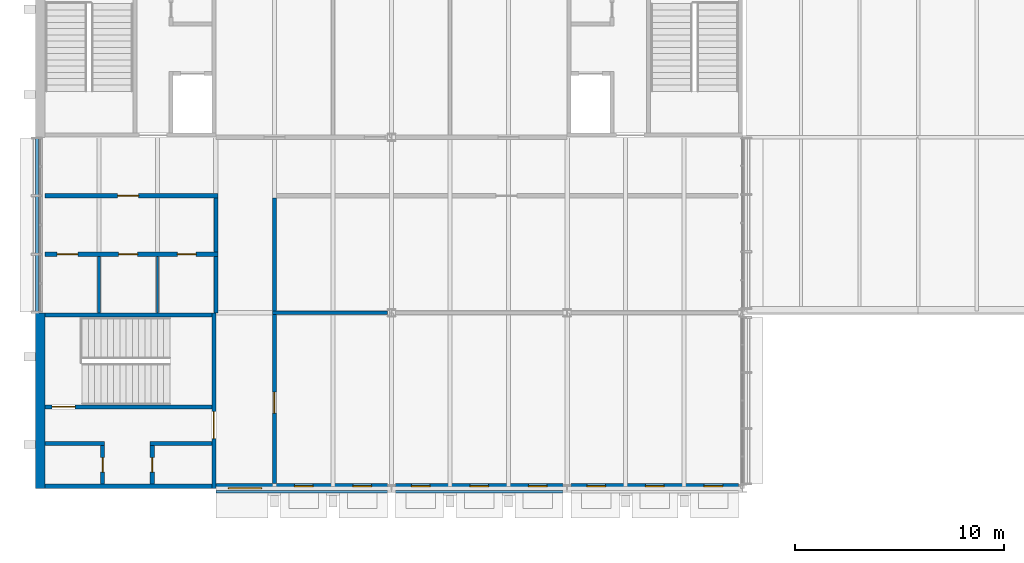
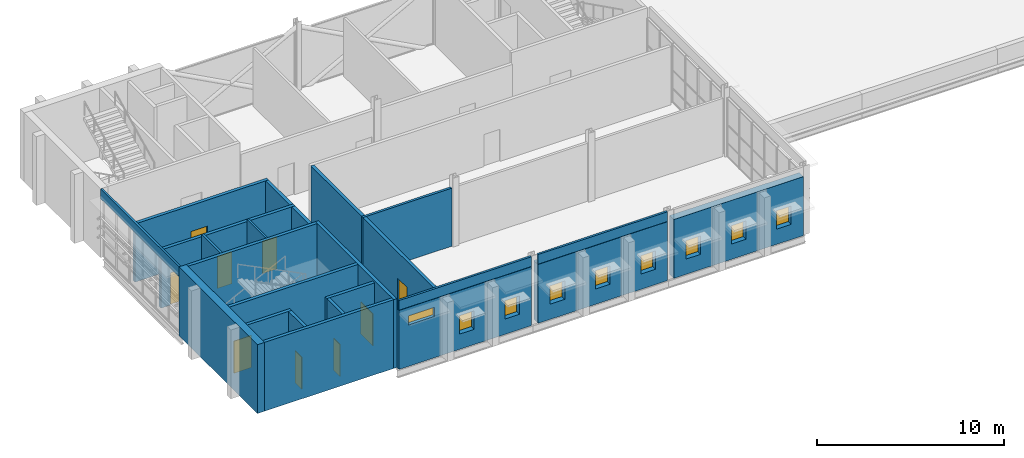
# One storey, part 20 of 29: 24 walls, 9 doors, 9 windows, 18 openings.
"""IFC4 building model written with IfcOpenShell, lengths in metres."""

from ifc_helpers import new_model, si_unit, direction, frame, frame_2d, origin, place, context, subcontext, project, spatial, rectangle, extrude, material, layer, layer_set, type_object, element, fill, save


model = new_model("IFC4")

# Units and contexts
model_context = context("Model", 3, precision=1e-05, world=origin(), true_north=direction((0.0, 1.0)))
body_context = subcontext(model_context, "Body", "Model", "MODEL_VIEW")
ifc_project = project(units=[si_unit("LENGTHUNIT", "METRE"), si_unit("AREAUNIT", "SQUARE_METRE"), si_unit("VOLUMEUNIT", "CUBIC_METRE"), si_unit("PLANEANGLEUNIT", "RADIAN"), si_unit("MASSUNIT", "GRAM", prefix="KILO")], contexts=[model_context])

# Site, building, storey
site_placement = place(None, origin())
site = spatial("IfcSite", under=ifc_project, at=site_placement, CompositionType="ELEMENT")
building_placement = place(site_placement, origin())
building = spatial("IfcBuilding", under=site, at=building_placement, Name="Ardhachandra Cancer Care Centre", CompositionType="ELEMENT")
storey_placement = place(building_placement, frame((0.0, 0.0, 13.5)))
storey = spatial("IfcBuildingStorey", under=building, at=storey_placement, Name="L03", CompositionType="ELEMENT", Elevation=13.5)

# Wall, openings, windows
ifc_material_1 = material(Name="Brick masonry (clay brick, cement mortar) with mineral wool cavity insulation", Category="masonry")
ifc_layer_1 = layer(ifc_material_1, 0.449951171875)
ifc_layer_set_1 = layer_set([ifc_layer_1], Name="Brick masonry (clay brick, cement mortar) with mineral wool cavity insulation")
wall_type_1 = type_object("IfcWallType", Name="Brick wall 450", PredefinedType="SOLIDWALL", material=ifc_layer_set_1)
wall_1_placement = place(storey_placement, frame((19.199951171875, 71.39990234375, 0.0), z_axis=(0.0, 0.0, 1.0), x_axis=(1.0, 0.0, 0.0)))
wall_1 = element("IfcWall", 1, at=wall_1_placement, inside=storey, type_object=wall_type_1, Name="E/wall/L03/s/0019200_0071400", PredefinedType="SOLIDWALL", context=body_context, shape_type="SweptSolid", body=[
    extrude(rectangle(XDim=8.20458984375, YDim=0.449951171875, at=frame_2d((4.102294921875, 0.0))), origin(), (0.0, 0.0, 1.0), 3.85009765625),
])
opening_1_placement = place(wall_1_placement, frame((0.60009765625, 0.0, 2.699951171875)))
opening_1 = element("IfcOpeningElement", 2, at=opening_1_placement, cuts=wall_1, Name="Opening W3", PredefinedType="OPENING", context=body_context, shape_type="SweptSolid", body=[
    extrude(rectangle(XDim=1.60009765625, YDim=0.60009765625, at=frame_2d((0.800048828125, 0.300048828125))), frame((0.0, 0.23486328125, 0.0), z_axis=(0.0, -1.0, 0.0), x_axis=(1.0, 0.0, 0.0)), (0.0, 0.0, 1.0), 0.469970703125),
])
opening_2_placement = place(wall_1_placement, frame((3.75, 0.0, 1.0)))
opening_2 = element("IfcOpeningElement", 3, at=opening_2_placement, cuts=wall_1, Name="Opening W10", PredefinedType="OPENING", context=body_context, shape_type="SweptSolid", body=[
    extrude(rectangle(XDim=0.89990234375, YDim=1.199951171875, at=frame_2d((0.449951171875, 0.60009765625))), frame((0.0, 0.23486328125, 0.0), z_axis=(0.0, -1.0, 0.0), x_axis=(1.0, 0.0, 0.0)), (0.0, 0.0, 1.0), 0.469970703125),
])
opening_3_placement = place(wall_1_placement, frame((6.550048828125, 0.0, 1.0)))
opening_3 = element("IfcOpeningElement", 4, at=opening_3_placement, cuts=wall_1, Name="Opening W10", PredefinedType="OPENING", context=body_context, shape_type="SweptSolid", body=[
    extrude(rectangle(XDim=0.89990234375, YDim=1.199951171875, at=frame_2d((0.449951171875, 0.60009765625))), frame((0.0, 0.23486328125, 0.0), z_axis=(0.0, -1.0, 0.0), x_axis=(1.0, 0.0, 0.0)), (0.0, 0.0, 1.0), 0.469970703125),
])
ifc_material_2 = material(Name="Aluminium frame with double-glazed unit", Category="aluminium")
window_type_1 = type_object("IfcWindowType", Name="Clerestory window 1600 x 600", PartitioningType="SINGLE_PANEL", PredefinedType="WINDOW", material=ifc_material_2)
window_1_placement = place(opening_1_placement, origin())
window_1 = element("IfcWindow", 5, at=window_1_placement, inside=storey, type_object=window_type_1, Name="W3 window L03 s/0019200_0071400 1", OverallHeight=0.60009765625, OverallWidth=1.60009765625, PartitioningType="SINGLE_PANEL", PredefinedType="WINDOW", context=body_context, shape_type="SweptSolid", body=[
    extrude(rectangle(XDim=1.60009765625, YDim=0.60009765625, at=frame_2d((0.800048828125, 0.300048828125))), frame((0.0, 0.030029296875, 0.0), z_axis=(0.0, -1.0, 0.0), x_axis=(1.0, 0.0, 0.0)), (0.0, 0.0, 1.0), 0.06005859375),
])
fill(opening_1, window_1)
ifc_material_3 = material(Name="Aluminium frame with double-glazed unit", Category="aluminium")
window_type_2 = type_object("IfcWindowType", Name="Small deep-set window 900 x 1200", PartitioningType="SINGLE_PANEL", PredefinedType="WINDOW", material=ifc_material_3)
window_2_placement = place(opening_2_placement, origin())
window_2 = element("IfcWindow", 6, at=window_2_placement, inside=storey, type_object=window_type_2, Name="W10 window L03 s/0019200_0071400 2", OverallHeight=1.199951171875, OverallWidth=0.89990234375, PartitioningType="SINGLE_PANEL", PredefinedType="WINDOW", context=body_context, shape_type="SweptSolid", body=[
    extrude(rectangle(XDim=0.89990234375, YDim=1.199951171875, at=frame_2d((0.449951171875, 0.60009765625))), frame((0.0, 0.135009765625, 0.0), z_axis=(0.0, -1.0, 0.0), x_axis=(1.0, 0.0, 0.0)), (0.0, 0.0, 1.0), 0.06005859375),
])
fill(opening_2, window_2)
window_3_placement = place(opening_3_placement, origin())
window_3 = element("IfcWindow", 7, at=window_3_placement, inside=storey, type_object=window_type_2, Name="W10 window L03 s/0019200_0071400 3", OverallHeight=1.199951171875, OverallWidth=0.89990234375, PartitioningType="SINGLE_PANEL", PredefinedType="WINDOW", context=body_context, shape_type="SweptSolid", body=[
    extrude(rectangle(XDim=0.89990234375, YDim=1.199951171875, at=frame_2d((0.449951171875, 0.60009765625))), frame((0.0, 0.135009765625, 0.0), z_axis=(0.0, -1.0, 0.0), x_axis=(1.0, 0.0, 0.0)), (0.0, 0.0, 1.0), 0.06005859375),
])
fill(opening_3, window_3)

wall_2_placement = place(storey_placement, frame((27.79541015625, 71.39990234375, 0.0), z_axis=(0.0, 0.0, 1.0), x_axis=(1.0, 0.0, 0.0)))
wall_2 = element("IfcWall", 8, at=wall_2_placement, inside=storey, type_object=wall_type_1, Name="E/wall/L03/s/0027600_0071400", PredefinedType="SOLIDWALL", context=body_context, shape_type="SweptSolid", body=[
    extrude(rectangle(XDim=8.009033203125, YDim=0.449951171875, at=frame_2d((4.00439453125, 0.0))), origin(), (0.0, 0.0, 1.0), 3.85009765625),
])
opening_4_placement = place(wall_2_placement, frame((0.75439453125, 0.0, 1.0)))
opening_4 = element("IfcOpeningElement", 9, at=opening_4_placement, cuts=wall_2, Name="Opening W10", PredefinedType="OPENING", context=body_context, shape_type="SweptSolid", body=[
    extrude(rectangle(XDim=0.89990234375, YDim=1.199951171875, at=frame_2d((0.449951171875, 0.60009765625))), frame((0.0, 0.23486328125, 0.0), z_axis=(0.0, -1.0, 0.0), x_axis=(1.0, 0.0, 0.0)), (0.0, 0.0, 1.0), 0.469970703125),
])
opening_5_placement = place(wall_2_placement, frame((3.554443359375, 0.0, 1.0)))
opening_5 = element("IfcOpeningElement", 10, at=opening_5_placement, cuts=wall_2, Name="Opening W10", PredefinedType="OPENING", context=body_context, shape_type="SweptSolid", body=[
    extrude(rectangle(XDim=0.89990234375, YDim=1.199951171875, at=frame_2d((0.449951171875, 0.60009765625))), frame((0.0, 0.23486328125, 0.0), z_axis=(0.0, -1.0, 0.0), x_axis=(1.0, 0.0, 0.0)), (0.0, 0.0, 1.0), 0.469970703125),
])
opening_6_placement = place(wall_2_placement, frame((6.3544921875, 0.0, 1.0)))
opening_6 = element("IfcOpeningElement", 11, at=opening_6_placement, cuts=wall_2, Name="Opening W10", PredefinedType="OPENING", context=body_context, shape_type="SweptSolid", body=[
    extrude(rectangle(XDim=0.89990234375, YDim=1.199951171875, at=frame_2d((0.449951171875, 0.60009765625))), frame((0.0, 0.23486328125, 0.0), z_axis=(0.0, -1.0, 0.0), x_axis=(1.0, 0.0, 0.0)), (0.0, 0.0, 1.0), 0.469970703125),
])
window_4_placement = place(opening_4_placement, origin())
window_4 = element("IfcWindow", 12, at=window_4_placement, inside=storey, type_object=window_type_2, Name="W10 window L03 s/0027600_0071400 1", OverallHeight=1.199951171875, OverallWidth=0.89990234375, PartitioningType="SINGLE_PANEL", PredefinedType="WINDOW", context=body_context, shape_type="SweptSolid", body=[
    extrude(rectangle(XDim=0.89990234375, YDim=1.199951171875, at=frame_2d((0.449951171875, 0.60009765625))), frame((0.0, 0.135009765625, 0.0), z_axis=(0.0, -1.0, 0.0), x_axis=(1.0, 0.0, 0.0)), (0.0, 0.0, 1.0), 0.06005859375),
])
fill(opening_4, window_4)
window_5_placement = place(opening_5_placement, origin())
window_5 = element("IfcWindow", 13, at=window_5_placement, inside=storey, type_object=window_type_2, Name="W10 window L03 s/0027600_0071400 2", OverallHeight=1.199951171875, OverallWidth=0.89990234375, PartitioningType="SINGLE_PANEL", PredefinedType="WINDOW", context=body_context, shape_type="SweptSolid", body=[
    extrude(rectangle(XDim=0.89990234375, YDim=1.199951171875, at=frame_2d((0.449951171875, 0.60009765625))), frame((0.0, 0.135009765625, 0.0), z_axis=(0.0, -1.0, 0.0), x_axis=(1.0, 0.0, 0.0)), (0.0, 0.0, 1.0), 0.06005859375),
])
fill(opening_5, window_5)
window_6_placement = place(opening_6_placement, origin())
window_6 = element("IfcWindow", 14, at=window_6_placement, inside=storey, type_object=window_type_2, Name="W10 window L03 s/0027600_0071400 3", OverallHeight=1.199951171875, OverallWidth=0.89990234375, PartitioningType="SINGLE_PANEL", PredefinedType="WINDOW", context=body_context, shape_type="SweptSolid", body=[
    extrude(rectangle(XDim=0.89990234375, YDim=1.199951171875, at=frame_2d((0.449951171875, 0.60009765625))), frame((0.0, 0.135009765625, 0.0), z_axis=(0.0, -1.0, 0.0), x_axis=(1.0, 0.0, 0.0)), (0.0, 0.0, 1.0), 0.06005859375),
])
fill(opening_6, window_6)

wall_3_placement = place(storey_placement, frame((36.195556640625, 71.39990234375, 0.0), z_axis=(0.0, 0.0, 1.0), x_axis=(1.0, 0.0, 0.0)))
wall_3 = element("IfcWall", 15, at=wall_3_placement, inside=storey, type_object=wall_type_1, Name="E/wall/L03/s/0036000_0071400", PredefinedType="SOLIDWALL", context=body_context, shape_type="SweptSolid", body=[
    extrude(rectangle(XDim=8.009033203125, YDim=0.449951171875, at=frame_2d((4.00439453125, 0.0))), origin(), (0.0, 0.0, 1.0), 3.85009765625),
])
opening_7_placement = place(wall_3_placement, frame((0.75439453125, 0.0, 1.0)))
opening_7 = element("IfcOpeningElement", 16, at=opening_7_placement, cuts=wall_3, Name="Opening W10", PredefinedType="OPENING", context=body_context, shape_type="SweptSolid", body=[
    extrude(rectangle(XDim=0.89990234375, YDim=1.199951171875, at=frame_2d((0.449951171875, 0.60009765625))), frame((0.0, 0.23486328125, 0.0), z_axis=(0.0, -1.0, 0.0), x_axis=(1.0, 0.0, 0.0)), (0.0, 0.0, 1.0), 0.469970703125),
])
opening_8_placement = place(wall_3_placement, frame((3.554443359375, 0.0, 1.0)))
opening_8 = element("IfcOpeningElement", 17, at=opening_8_placement, cuts=wall_3, Name="Opening W10", PredefinedType="OPENING", context=body_context, shape_type="SweptSolid", body=[
    extrude(rectangle(XDim=0.89990234375, YDim=1.199951171875, at=frame_2d((0.449951171875, 0.60009765625))), frame((0.0, 0.23486328125, 0.0), z_axis=(0.0, -1.0, 0.0), x_axis=(1.0, 0.0, 0.0)), (0.0, 0.0, 1.0), 0.469970703125),
])
opening_9_placement = place(wall_3_placement, frame((6.3544921875, 0.0, 1.0)))
opening_9 = element("IfcOpeningElement", 18, at=opening_9_placement, cuts=wall_3, Name="Opening W10", PredefinedType="OPENING", context=body_context, shape_type="SweptSolid", body=[
    extrude(rectangle(XDim=0.89990234375, YDim=1.199951171875, at=frame_2d((0.449951171875, 0.60009765625))), frame((0.0, 0.23486328125, 0.0), z_axis=(0.0, -1.0, 0.0), x_axis=(1.0, 0.0, 0.0)), (0.0, 0.0, 1.0), 0.469970703125),
])
window_7_placement = place(opening_7_placement, origin())
window_7 = element("IfcWindow", 19, at=window_7_placement, inside=storey, type_object=window_type_2, Name="W10 window L03 s/0036000_0071400 1", OverallHeight=1.199951171875, OverallWidth=0.89990234375, PartitioningType="SINGLE_PANEL", PredefinedType="WINDOW", context=body_context, shape_type="SweptSolid", body=[
    extrude(rectangle(XDim=0.89990234375, YDim=1.199951171875, at=frame_2d((0.449951171875, 0.60009765625))), frame((0.0, 0.135009765625, 0.0), z_axis=(0.0, -1.0, 0.0), x_axis=(1.0, 0.0, 0.0)), (0.0, 0.0, 1.0), 0.06005859375),
])
fill(opening_7, window_7)
window_8_placement = place(opening_8_placement, origin())
window_8 = element("IfcWindow", 20, at=window_8_placement, inside=storey, type_object=window_type_2, Name="W10 window L03 s/0036000_0071400 2", OverallHeight=1.199951171875, OverallWidth=0.89990234375, PartitioningType="SINGLE_PANEL", PredefinedType="WINDOW", context=body_context, shape_type="SweptSolid", body=[
    extrude(rectangle(XDim=0.89990234375, YDim=1.199951171875, at=frame_2d((0.449951171875, 0.60009765625))), frame((0.0, 0.135009765625, 0.0), z_axis=(0.0, -1.0, 0.0), x_axis=(1.0, 0.0, 0.0)), (0.0, 0.0, 1.0), 0.06005859375),
])
fill(opening_8, window_8)
window_9_placement = place(opening_9_placement, origin())
window_9 = element("IfcWindow", 21, at=window_9_placement, inside=storey, type_object=window_type_2, Name="W10 window L03 s/0036000_0071400 3", OverallHeight=1.199951171875, OverallWidth=0.89990234375, PartitioningType="SINGLE_PANEL", PredefinedType="WINDOW", context=body_context, shape_type="SweptSolid", body=[
    extrude(rectangle(XDim=0.89990234375, YDim=1.199951171875, at=frame_2d((0.449951171875, 0.60009765625))), frame((0.0, 0.135009765625, 0.0), z_axis=(0.0, -1.0, 0.0), x_axis=(1.0, 0.0, 0.0)), (0.0, 0.0, 1.0), 0.06005859375),
])
fill(opening_9, window_9)

# Wall, openings, doors
ifc_material_4 = material(Name="Gypsum board corridor partition on steel studs", Category="steel")
ifc_layer_2 = layer(ifc_material_4, 0.199951171875)
ifc_layer_set_2 = layer_set([ifc_layer_2], Name="Gypsum board corridor partition on steel studs")
wall_type_2 = type_object("IfcWallType", Name="CORRIDOR WALL 200", PredefinedType="PARTITIONING", material=ifc_layer_set_2)
wall_4_placement = place(storey_placement, frame((11.02490234375, 82.60009765625, 0.0), z_axis=(0.0, 0.0, 1.0), x_axis=(1.0, 0.0, 0.0)))
wall_4 = element("IfcWall", 22, at=wall_4_placement, inside=storey, type_object=wall_type_2, Name="R/wall/L03/h0082600_0011025", PredefinedType="PARTITIONING", context=body_context, shape_type="SweptSolid", body=[
    extrude(rectangle(XDim=8.275146484375, YDim=0.199951171875, at=frame_2d((4.1376953125, 0.0))), origin(), (0.0, 0.0, 1.0), 3.800048828125),
])
opening_10_placement = place(wall_4_placement, frame((0.574951171875, 0.0, 0.0)))
opening_10 = element("IfcOpeningElement", 23, at=opening_10_placement, cuts=wall_4, Name="Opening L03-0002", PredefinedType="OPENING", context=body_context, shape_type="SweptSolid", body=[
    extrude(rectangle(XDim=1.0, YDim=2.10009765625, at=frame_2d((0.5, 1.050048828125))), frame((0.0, 0.10986328125, 0.0), z_axis=(0.0, -1.0, 0.0), x_axis=(1.0, 0.0, 0.0)), (0.0, 0.0, 1.0), 0.219970703125),
])
opening_11_placement = place(wall_4_placement, frame((3.52490234375, 0.0, 0.0)))
opening_11 = element("IfcOpeningElement", 24, at=opening_11_placement, cuts=wall_4, Name="Opening L03-0003", PredefinedType="OPENING", context=body_context, shape_type="SweptSolid", body=[
    extrude(rectangle(XDim=0.89990234375, YDim=2.10009765625, at=frame_2d((0.449951171875, 1.050048828125))), frame((0.0, 0.10986328125, 0.0), z_axis=(0.0, -1.0, 0.0), x_axis=(1.0, 0.0, 0.0)), (0.0, 0.0, 1.0), 0.219970703125),
])
opening_12_placement = place(wall_4_placement, frame((6.324951171875, 0.0, 0.0)))
opening_12 = element("IfcOpeningElement", 25, at=opening_12_placement, cuts=wall_4, Name="Opening L03-0004", PredefinedType="OPENING", context=body_context, shape_type="SweptSolid", body=[
    extrude(rectangle(XDim=0.89990234375, YDim=2.10009765625, at=frame_2d((0.449951171875, 1.050048828125))), frame((0.0, 0.10986328125, 0.0), z_axis=(0.0, -1.0, 0.0), x_axis=(1.0, 0.0, 0.0)), (0.0, 0.0, 1.0), 0.219970703125),
])
ifc_material_5 = material(Name="Timber fire door with smoke seals", Category="wood")
door_type_1 = type_object("IfcDoorType", Name="FIRE DOOR SINGLE 1000x2100 FD30S", OperationType="NOTDEFINED", PredefinedType="DOOR", material=ifc_material_5)
door_1_placement = place(opening_10_placement, origin())
door_1 = element("IfcDoor", 26, at=door_1_placement, inside=storey, type_object=door_type_1, Name="Door L03-0002", OperationType="SINGLE_SWING_RIGHT", OverallHeight=2.10009765625, OverallWidth=1.0, PredefinedType="DOOR", context=body_context, shape_type="SweptSolid", body=[
    extrude(rectangle(XDim=1.0, YDim=2.10009765625, at=frame_2d((0.5, 1.050048828125))), frame((0.0, 0.02490234375, 0.0), z_axis=(0.0, -1.0, 0.0), x_axis=(1.0, 0.0, 0.0)), (0.0, 0.0, 1.0), 0.050048828125),
])
fill(opening_10, door_1)
ifc_material_6 = material(Name="Timber fire door with smoke seals", Category="wood")
door_type_2 = type_object("IfcDoorType", Name="FIRE DOOR WC 900x2100 FD30S", OperationType="NOTDEFINED", PredefinedType="DOOR", material=ifc_material_6)
door_2_placement = place(opening_11_placement, origin())
door_2 = element("IfcDoor", 27, at=door_2_placement, inside=storey, type_object=door_type_2, Name="Door L03-0003", OperationType="SINGLE_SWING_RIGHT", OverallHeight=2.10009765625, OverallWidth=0.89990234375, PredefinedType="DOOR", context=body_context, shape_type="SweptSolid", body=[
    extrude(rectangle(XDim=0.89990234375, YDim=2.10009765625, at=frame_2d((0.449951171875, 1.050048828125))), frame((0.0, 0.02490234375, 0.0), z_axis=(0.0, -1.0, 0.0), x_axis=(1.0, 0.0, 0.0)), (0.0, 0.0, 1.0), 0.050048828125),
])
fill(opening_11, door_2)
door_3_placement = place(opening_12_placement, origin())
door_3 = element("IfcDoor", 28, at=door_3_placement, inside=storey, type_object=door_type_2, Name="Door L03-0004", OperationType="SINGLE_SWING_LEFT", OverallHeight=2.10009765625, OverallWidth=0.89990234375, PredefinedType="DOOR", context=body_context, shape_type="SweptSolid", body=[
    extrude(rectangle(XDim=0.89990234375, YDim=2.10009765625, at=frame_2d((0.449951171875, 1.050048828125))), frame((0.0, 0.02490234375, 0.0), z_axis=(0.0, -1.0, 0.0), x_axis=(1.0, 0.0, 0.0)), (0.0, 0.0, 1.0), 0.050048828125),
])
fill(opening_12, door_3)

# Wall, opening, door
wall_5_placement = place(storey_placement, frame((11.02490234375, 85.39990234375, 0.0), z_axis=(0.0, 0.0, 1.0), x_axis=(1.0, 0.0, 0.0)))
wall_5 = element("IfcWall", 29, at=wall_5_placement, inside=storey, type_object=wall_type_2, Name="R/wall/L03/h0085400_0011025", PredefinedType="PARTITIONING", context=body_context, shape_type="SweptSolid", body=[
    extrude(rectangle(XDim=8.275146484375, YDim=0.199951171875, at=frame_2d((4.1376953125, 0.0))), origin(), (0.0, 0.0, 1.0), 3.800048828125),
])
opening_13_placement = place(wall_5_placement, frame((3.47509765625, 0.0, 0.0)))
opening_13 = element("IfcOpeningElement", 30, at=opening_13_placement, cuts=wall_5, Name="Opening L03-0005", PredefinedType="OPENING", context=body_context, shape_type="SweptSolid", body=[
    extrude(rectangle(XDim=1.0, YDim=2.10009765625, at=frame_2d((0.5, 1.050048828125))), frame((0.0, 0.10986328125, 0.0), z_axis=(0.0, -1.0, 0.0), x_axis=(1.0, 0.0, 0.0)), (0.0, 0.0, 1.0), 0.219970703125),
])
door_4_placement = place(opening_13_placement, origin())
door_4 = element("IfcDoor", 31, at=door_4_placement, inside=storey, type_object=door_type_1, Name="Door L03-0005", OperationType="SINGLE_SWING_RIGHT", OverallHeight=2.10009765625, OverallWidth=1.0, PredefinedType="DOOR", context=body_context, shape_type="SweptSolid", body=[
    extrude(rectangle(XDim=1.0, YDim=2.10009765625, at=frame_2d((0.5, 1.050048828125))), frame((0.0, 0.02490234375, 0.0), z_axis=(0.0, -1.0, 0.0), x_axis=(1.0, 0.0, 0.0)), (0.0, 0.0, 1.0), 0.050048828125),
])
fill(opening_13, door_4)

# Walls
wall_6_placement = place(storey_placement, frame((19.199951171875, 79.800048828125, 0.0), z_axis=(0.0, 0.0, 1.0), x_axis=(0.0, 1.0, 0.0)))
element("IfcWall", 32, at=wall_6_placement, inside=storey, type_object=wall_type_2, Name="R/wall/L03/v0019200_0079800", PredefinedType="PARTITIONING", context=body_context, shape_type="SweptSolid", body=[
    extrude(rectangle(XDim=2.699951171875, YDim=0.199951171875, at=frame_2d((1.35009765625, 0.0))), origin(), (0.0, 0.0, 1.0), 3.800048828125),
])
wall_7_placement = place(storey_placement, frame((19.199951171875, 82.699951171875, 0.0), z_axis=(0.0, 0.0, 1.0), x_axis=(0.0, 1.0, 0.0)))
element("IfcWall", 33, at=wall_7_placement, inside=storey, type_object=wall_type_2, Name="R/wall/L03/v0019200_0082700", PredefinedType="PARTITIONING", context=body_context, shape_type="SweptSolid", body=[
    extrude(rectangle(XDim=2.60009765625, YDim=0.199951171875, at=frame_2d((1.300048828125, 0.0))), origin(), (0.0, 0.0, 1.0), 3.800048828125),
])

# Wall, opening, door
wall_8_placement = place(storey_placement, frame((22.0, 71.625, 0.0), z_axis=(0.0, 0.0, 1.0), x_axis=(0.0, 1.0, 0.0)))
wall_8 = element("IfcWall", 34, at=wall_8_placement, inside=storey, type_object=wall_type_2, Name="R/wall/L03/v0022000_0071625", PredefinedType="PARTITIONING", context=body_context, shape_type="SweptSolid", body=[
    extrude(rectangle(XDim=8.10009765625, YDim=0.199951171875, at=frame_2d((4.050048828125, 0.0))), origin(), (0.0, 0.0, 1.0), 3.800048828125),
])
opening_14_placement = place(wall_8_placement, frame((3.375, 0.0, 0.0)))
opening_14 = element("IfcOpeningElement", 35, at=opening_14_placement, cuts=wall_8, Name="Opening L03-0020", PredefinedType="OPENING", context=body_context, shape_type="SweptSolid", body=[
    extrude(rectangle(XDim=1.0, YDim=2.10009765625, at=frame_2d((0.5, 1.050048828125))), frame((0.0, 0.10986328125, 0.0), z_axis=(0.0, -1.0, 0.0), x_axis=(1.0, 0.0, 0.0)), (0.0, 0.0, 1.0), 0.219970703125),
])
door_5_placement = place(opening_14_placement, origin())
door_5 = element("IfcDoor", 36, at=door_5_placement, inside=storey, type_object=door_type_1, Name="Door L03-0020", OperationType="SINGLE_SWING_RIGHT", OverallHeight=2.10009765625, OverallWidth=1.0, PredefinedType="DOOR", context=body_context, shape_type="SweptSolid", body=[
    extrude(rectangle(XDim=1.0, YDim=2.10009765625, at=frame_2d((0.5, 1.050048828125))), frame((0.0, 0.02490234375, 0.0), z_axis=(0.0, -1.0, 0.0), x_axis=(1.0, 0.0, 0.0)), (0.0, 0.0, 1.0), 0.050048828125),
])
fill(opening_14, door_5)

# Walls
wall_9_placement = place(storey_placement, frame((22.0, 79.875, 0.0), z_axis=(0.0, 0.0, 1.0), x_axis=(0.0, 1.0, 0.0)))
element("IfcWall", 37, at=wall_9_placement, inside=storey, type_object=wall_type_2, Name="R/wall/L03/v0022000_0079875", PredefinedType="PARTITIONING", context=body_context, shape_type="SweptSolid", body=[
    extrude(rectangle(XDim=5.425048828125, YDim=0.199951171875, at=frame_2d((2.71240234375, 0.0))), origin(), (0.0, 0.0, 1.0), 3.800048828125),
])
ifc_material_7 = material(Name="Concrete M40", Category="concrete")
ifc_layer_3 = layer(ifc_material_7, 0.449951171875)
ifc_layer_set_3 = layer_set([ifc_layer_3], Name="Concrete M40")
wall_type_3 = type_object("IfcWallType", Name="Core exterior wall RC 450", PredefinedType="SOLIDWALL", material=ifc_layer_set_3)
wall_10_placement = place(storey_placement, frame((10.800048828125, 79.800048828125, 0.0), z_axis=(0.0, 0.0, 1.0), x_axis=(0.0, -1.0, 0.0)))
element("IfcWall", 38, at=wall_10_placement, inside=storey, type_object=wall_type_3, Name="Core wall K6 FAR", PredefinedType="SOLIDWALL", context=body_context, shape_type="SweptSolid", body=[
    extrude(rectangle(XDim=8.400146484375, YDim=0.449951171875, at=frame_2d((4.2001953125, 0.0))), origin(), (0.0, 0.0, 1.0), 4.5),
])

# Wall, opening, door
ifc_material_8 = material(Name="Concrete M40", Category="concrete")
ifc_layer_4 = layer(ifc_material_8, 0.199951171875)
ifc_layer_set_4 = layer_set([ifc_layer_4], Name="Concrete M40")
wall_type_4 = type_object("IfcWallType", Name="Core wall RC 200", PredefinedType="SOLIDWALL", material=ifc_layer_set_4)
wall_11_placement = place(storey_placement, frame((19.10009765625, 79.800048828125, 0.0), z_axis=(0.0, 0.0, 1.0), x_axis=(0.0, -1.0, 0.0)))
wall_11 = element("IfcWall", 39, at=wall_11_placement, inside=storey, type_object=wall_type_4, Name="Core wall K6 ENT", PredefinedType="SOLIDWALL", context=body_context, shape_type="SweptSolid", body=[
    extrude(rectangle(XDim=8.400146484375, YDim=0.199951171875, at=frame_2d((4.2001953125, 0.0))), origin(), (0.0, 0.0, 1.0), 4.5),
])
opening_15_placement = place(wall_11_placement, frame((4.72509765625, 0.0, 0.0)))
opening_15 = element("IfcOpeningElement", 40, at=opening_15_placement, cuts=wall_11, Name="Opening L03-K06-1", PredefinedType="OPENING", context=body_context, shape_type="SweptSolid", body=[
    extrude(rectangle(XDim=1.300048828125, YDim=2.10009765625, at=frame_2d((0.64990234375, 1.050048828125))), frame((0.0, 0.10986328125, 0.0), z_axis=(0.0, -1.0, 0.0), x_axis=(1.0, 0.0, 0.0)), (0.0, 0.0, 1.0), 0.219970703125),
])
ifc_material_9 = material(Name="Steel door set", Category="steel")
door_type_3 = type_object("IfcDoorType", Name="Core entry double door 1300x2100 FD60", OperationType="DOUBLE_DOOR_DOUBLE_SWING", PredefinedType="DOOR", material=ifc_material_9)
door_6_placement = place(opening_15_placement, origin())
door_6 = element("IfcDoor", 41, at=door_6_placement, inside=storey, type_object=door_type_3, Name="Core entry door", OperationType="DOUBLE_DOOR_DOUBLE_SWING", OverallHeight=2.10009765625, OverallWidth=1.300048828125, PredefinedType="DOOR", context=body_context, shape_type="SweptSolid", body=[
    extrude(rectangle(XDim=1.300048828125, YDim=2.10009765625, at=frame_2d((0.64990234375, 1.050048828125))), frame((0.0, 0.02490234375, 0.0), z_axis=(0.0, -1.0, 0.0), x_axis=(1.0, 0.0, 0.0)), (0.0, 0.0, 1.0), 0.050048828125),
])
fill(opening_15, door_6)

# Walls
for number, where, z_axis, x_axis, name in (
    (42, (19.0, 79.699951171875, 0.0), (0.0, 0.0, 1.0), (-1.0, 0.0, 0.0), "Core wall K6 UW"),
    (43, (19.0, 71.5, 0.0), (0.0, 0.0, 1.0), (-1.0, 0.0, 0.0), "Core wall K6 UE"),
):
    element("IfcWall", number, at=place(storey_placement, frame(where, z_axis=z_axis, x_axis=x_axis)), inside=storey, type_object=wall_type_4, Name=name, PredefinedType="SOLIDWALL", context=body_context, shape_type="SweptSolid", body=[
        extrude(rectangle(XDim=7.97509765625, YDim=0.199951171875, at=frame_2d((3.987548828125, 0.0))), origin(), (0.0, 0.0, 1.0), 4.5),
    ])

# Wall, opening, door
wall_12_placement = place(storey_placement, frame((19.0, 75.300048828125, 0.0), z_axis=(0.0, 0.0, 1.0), x_axis=(-1.0, 0.0, 0.0)))
wall_12 = element("IfcWall", 44, at=wall_12_placement, inside=storey, type_object=wall_type_4, Name="Core wall K6 P1", PredefinedType="SOLIDWALL", context=body_context, shape_type="SweptSolid", body=[
    extrude(rectangle(XDim=7.97509765625, YDim=0.199951171875, at=frame_2d((3.987548828125, 0.0))), origin(), (0.0, 0.0, 1.0), 4.5),
])
opening_16_placement = place(wall_12_placement, frame((6.53759765625, 0.0, 0.0)))
opening_16 = element("IfcOpeningElement", 45, at=opening_16_placement, cuts=wall_12, Name="Opening L03-K06-2", PredefinedType="OPENING", context=body_context, shape_type="SweptSolid", body=[
    extrude(rectangle(XDim=1.10009765625, YDim=2.10009765625, at=frame_2d((0.550048828125, 1.050048828125))), frame((0.0, 0.10986328125, 0.0), z_axis=(0.0, -1.0, 0.0), x_axis=(1.0, 0.0, 0.0)), (0.0, 0.0, 1.0), 0.219970703125),
])
ifc_material_10 = material(Name="Steel door set", Category="steel")
door_type_4 = type_object("IfcDoorType", Name="Stair door 1100x2100 FD60S", OperationType="NOTDEFINED", PredefinedType="DOOR", material=ifc_material_10)
door_7_placement = place(opening_16_placement, origin())
door_7 = element("IfcDoor", 46, at=door_7_placement, inside=storey, type_object=door_type_4, Name="Stair door", OperationType="SINGLE_SWING_LEFT", OverallHeight=2.10009765625, OverallWidth=1.10009765625, PredefinedType="DOOR", context=body_context, shape_type="SweptSolid", body=[
    extrude(rectangle(XDim=1.10009765625, YDim=2.10009765625, at=frame_2d((0.550048828125, 1.050048828125))), frame((0.0, 0.02490234375, 0.0), z_axis=(0.0, -1.0, 0.0), x_axis=(1.0, 0.0, 0.0)), (0.0, 0.0, 1.0), 0.050048828125),
])
fill(opening_16, door_7)

# Walls
wall_13_placement = place(storey_placement, frame((19.0, 73.550048828125, 0.0), z_axis=(0.0, 0.0, 1.0), x_axis=(-1.0, 0.0, 0.0)))
element("IfcWall", 47, at=wall_13_placement, inside=storey, type_object=wall_type_4, Name="Core wall K6 P2A", PredefinedType="SOLIDWALL", context=body_context, shape_type="SweptSolid", body=[
    extrude(rectangle(XDim=2.949951171875, YDim=0.199951171875, at=frame_2d((1.47509765625, 0.0))), origin(), (0.0, 0.0, 1.0), 4.35009765625),
])
wall_14_placement = place(storey_placement, frame((13.875, 73.550048828125, 0.0), z_axis=(0.0, 0.0, 1.0), x_axis=(-1.0, 0.0, 0.0)))
element("IfcWall", 48, at=wall_14_placement, inside=storey, type_object=wall_type_4, Name="Core wall K6 P2B", PredefinedType="SOLIDWALL", context=body_context, shape_type="SweptSolid", body=[
    extrude(rectangle(XDim=2.85009765625, YDim=0.199951171875, at=frame_2d((1.425048828125, 0.0))), origin(), (0.0, 0.0, 1.0), 4.35009765625),
])

# Wall, opening, door
wall_15_placement = place(storey_placement, frame((16.14990234375, 73.449951171875, 0.0), z_axis=(0.0, 0.0, 1.0), x_axis=(0.0, -1.0, 0.0)))
wall_15 = element("IfcWall", 49, at=wall_15_placement, inside=storey, type_object=wall_type_4, Name="Core wall K6 W1", PredefinedType="SOLIDWALL", context=body_context, shape_type="SweptSolid", body=[
    extrude(rectangle(XDim=1.849853515625, YDim=0.199951171875, at=frame_2d((0.9248046875, 0.0))), origin(), (0.0, 0.0, 1.0), 4.35009765625),
])
opening_17_placement = place(wall_15_placement, frame((0.574951171875, 0.0, 0.0)))
opening_17 = element("IfcOpeningElement", 50, at=opening_17_placement, cuts=wall_15, Name="Opening L03-K06-3", PredefinedType="OPENING", context=body_context, shape_type="SweptSolid", body=[
    extrude(rectangle(XDim=0.699951171875, YDim=2.10009765625, at=frame_2d((0.35009765625, 1.050048828125))), frame((0.0, 0.10986328125, 0.0), z_axis=(0.0, -1.0, 0.0), x_axis=(1.0, 0.0, 0.0)), (0.0, 0.0, 1.0), 0.219970703125),
])
ifc_material_11 = material(Name="Steel door set", Category="steel")
door_type_5 = type_object("IfcDoorType", Name="Riser access door 700x2100 FD120S", OperationType="NOTDEFINED", PredefinedType="DOOR", material=ifc_material_11)
door_8_placement = place(opening_17_placement, origin())
door_8 = element("IfcDoor", 51, at=door_8_placement, inside=storey, type_object=door_type_5, Name="Riser access door", OperationType="SINGLE_SWING_RIGHT", OverallHeight=2.10009765625, OverallWidth=0.699951171875, PredefinedType="DOOR", context=body_context, shape_type="SweptSolid", body=[
    extrude(rectangle(XDim=0.699951171875, YDim=2.10009765625, at=frame_2d((0.35009765625, 1.050048828125))), frame((0.0, 0.02490234375, 0.0), z_axis=(0.0, -1.0, 0.0), x_axis=(1.0, 0.0, 0.0)), (0.0, 0.0, 1.0), 0.050048828125),
])
fill(opening_17, door_8)

wall_16_placement = place(storey_placement, frame((13.77490234375, 73.449951171875, 0.0), z_axis=(0.0, 0.0, 1.0), x_axis=(0.0, -1.0, 0.0)))
wall_16 = element("IfcWall", 52, at=wall_16_placement, inside=storey, type_object=wall_type_4, Name="Core wall K6 W2", PredefinedType="SOLIDWALL", context=body_context, shape_type="SweptSolid", body=[
    extrude(rectangle(XDim=1.849853515625, YDim=0.199951171875, at=frame_2d((0.9248046875, 0.0))), origin(), (0.0, 0.0, 1.0), 4.35009765625),
])
opening_18_placement = place(wall_16_placement, frame((0.574951171875, 0.0, 0.0)))
opening_18 = element("IfcOpeningElement", 53, at=opening_18_placement, cuts=wall_16, Name="Opening L03-K06-4", PredefinedType="OPENING", context=body_context, shape_type="SweptSolid", body=[
    extrude(rectangle(XDim=0.699951171875, YDim=2.10009765625, at=frame_2d((0.35009765625, 1.050048828125))), frame((0.0, 0.10986328125, 0.0), z_axis=(0.0, -1.0, 0.0), x_axis=(1.0, 0.0, 0.0)), (0.0, 0.0, 1.0), 0.219970703125),
])
door_9_placement = place(opening_18_placement, origin())
door_9 = element("IfcDoor", 54, at=door_9_placement, inside=storey, type_object=door_type_5, Name="Riser access door", OperationType="SINGLE_SWING_RIGHT", OverallHeight=2.10009765625, OverallWidth=0.699951171875, PredefinedType="DOOR", context=body_context, shape_type="SweptSolid", body=[
    extrude(rectangle(XDim=0.699951171875, YDim=2.10009765625, at=frame_2d((0.35009765625, 1.050048828125))), frame((0.0, 0.02490234375, 0.0), z_axis=(0.0, -1.0, 0.0), x_axis=(1.0, 0.0, 0.0)), (0.0, 0.0, 1.0), 0.050048828125),
])
fill(opening_18, door_9)

# Walls
ifc_material_12 = material(Name="Precast Concrete M30 fascia panel with brick slip facing", Category="masonry")
ifc_layer_5 = layer(ifc_material_12, 0.1298828125)
ifc_layer_set_5 = layer_set([ifc_layer_5], Name="Precast Concrete M30 fascia panel with brick slip facing")
wall_type_5 = type_object("IfcWallType", Name="Edge beam fascia 130", PredefinedType="SOLIDWALL", material=ifc_layer_set_5)
wall_17_placement = place(storey_placement, frame((19.199951171875, 71.239990234375, 3.8701171875), z_axis=(0.0, 0.0, 1.0), x_axis=(1.0, 0.0, 0.0)))
element("IfcWall", 55, at=wall_17_placement, inside=storey, type_object=wall_type_5, Name="E/fascia/L03/s/0019200_0071400", PredefinedType="SOLIDWALL", context=body_context, shape_type="SweptSolid", body=[
    extrude(rectangle(XDim=8.20458984375, YDim=0.1298828125, at=frame_2d((4.102294921875, 0.0))), origin(), (0.0, 0.0, 1.0), 0.6298828125),
])
wall_18_placement = place(storey_placement, frame((27.79541015625, 71.239990234375, 3.8701171875), z_axis=(0.0, 0.0, 1.0), x_axis=(1.0, 0.0, 0.0)))
element("IfcWall", 56, at=wall_18_placement, inside=storey, type_object=wall_type_5, Name="E/fascia/L03/s/0027600_0071400", PredefinedType="SOLIDWALL", context=body_context, shape_type="SweptSolid", body=[
    extrude(rectangle(XDim=8.009033203125, YDim=0.1298828125, at=frame_2d((4.00439453125, 0.0))), origin(), (0.0, 0.0, 1.0), 0.6298828125),
])
wall_19_placement = place(storey_placement, frame((10.639892578125, 79.800048828125, 3.8701171875), z_axis=(0.0, 0.0, 1.0), x_axis=(0.0, 1.0, 0.0)))
element("IfcWall", 57, at=wall_19_placement, inside=storey, type_object=wall_type_5, Name="E/fascia/L03/w/0010800_0079800", PredefinedType="SOLIDWALL", context=body_context, shape_type="SweptSolid", body=[
    extrude(rectangle(XDim=8.39990234375, YDim=0.1298828125, at=frame_2d((4.199951171875, 0.0))), origin(), (0.0, 0.0, 1.0), 0.6298828125),
])
ifc_material_13 = material(Name="Concrete block masonry", Category="masonry")
ifc_layer_6 = layer(ifc_material_13, 0.10009765625)
ifc_layer_set_6 = layer_set([ifc_layer_6], Name="Concrete block masonry")
wall_type_6 = type_object("IfcWallType", Name="STORE PARTITION 100", PredefinedType="SOLIDWALL", material=ifc_layer_set_6)
wall_20_placement = place(storey_placement, frame((16.39990234375, 79.800048828125, 0.0), z_axis=(0.0, 0.0, 1.0), x_axis=(0.0, 1.0, 0.0)))
element("IfcWall", 58, at=wall_20_placement, inside=storey, type_object=wall_type_6, Name="R/wall/L03/v0016400_0079800", PredefinedType="SOLIDWALL", context=body_context, shape_type="SweptSolid", body=[
    extrude(rectangle(XDim=2.699951171875, YDim=0.10009765625, at=frame_2d((1.35009765625, 0.0))), origin(), (0.0, 0.0, 1.0), 3.949951171875),
])
ifc_material_14 = material(Name="Tiled gypsum board partition on steel studs", Category="steel")
ifc_layer_7 = layer(ifc_material_14, 0.14990234375)
ifc_layer_set_7 = layer_set([ifc_layer_7], Name="Tiled gypsum board partition on steel studs")
wall_type_7 = type_object("IfcWallType", Name="WET ROOM PARTITION 150", PredefinedType="PARTITIONING", material=ifc_layer_set_7)
wall_21_placement = place(storey_placement, frame((21.89990234375, 79.800048828125, 0.0), z_axis=(0.0, 0.0, 1.0), x_axis=(1.0, 0.0, 0.0)))
element("IfcWall", 59, at=wall_21_placement, inside=storey, type_object=wall_type_7, Name="R/wall/L03/h0079800_0021900", PredefinedType="PARTITIONING", context=body_context, shape_type="SweptSolid", body=[
    extrude(rectangle(XDim=5.504638671875, YDim=0.14990234375, at=frame_2d((2.75244140625, 0.0))), origin(), (0.0, 0.0, 1.0), 3.800048828125),
])
wall_22_placement = place(storey_placement, frame((13.60009765625, 79.800048828125, 0.0), z_axis=(0.0, 0.0, 1.0), x_axis=(0.0, 1.0, 0.0)))
element("IfcWall", 60, at=wall_22_placement, inside=storey, type_object=wall_type_7, Name="R/wall/L03/v0013600_0079800", PredefinedType="PARTITIONING", context=body_context, shape_type="SweptSolid", body=[
    extrude(rectangle(XDim=2.699951171875, YDim=0.14990234375, at=frame_2d((1.35009765625, 0.0))), origin(), (0.0, 0.0, 1.0), 3.949951171875),
])

save(model, "model.ifc")
